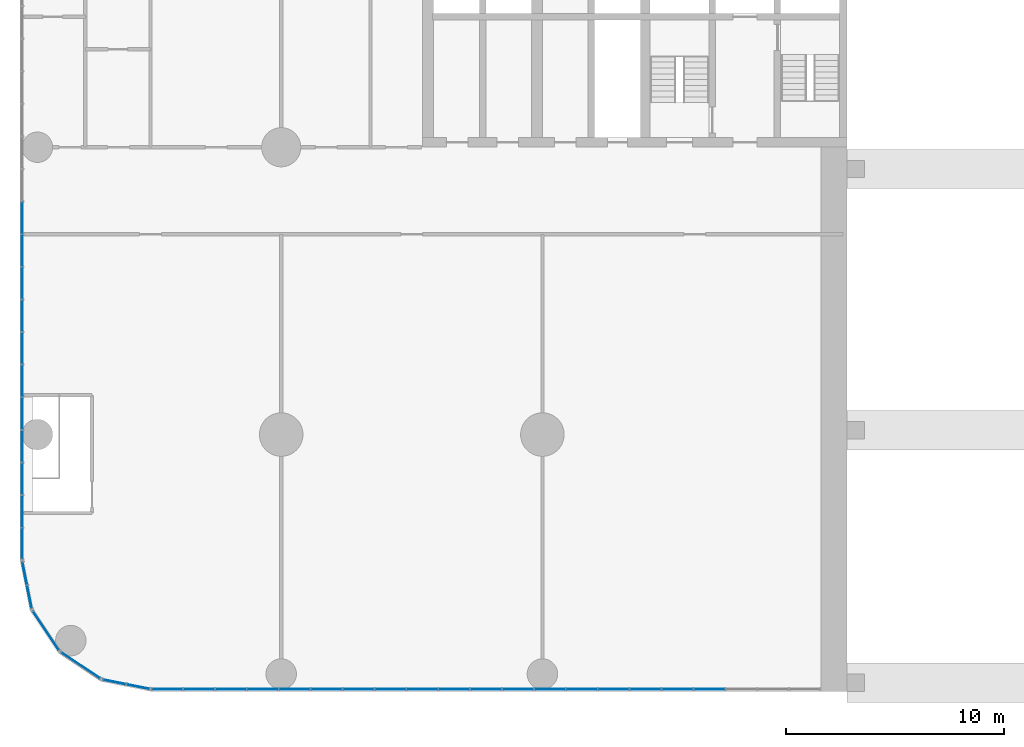
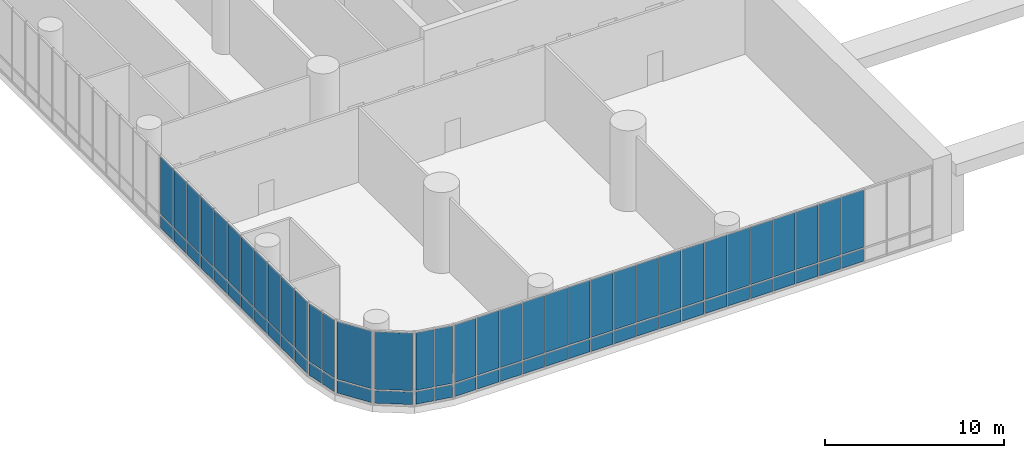
# One storey, part 19 of 30: 70 plates, 6 elements without a shape of their own.
"""IFC4 building model written with IfcOpenShell, lengths in metres."""

from ifc_helpers import new_model, si_unit, direction, frame, origin, origin_2d, place, context, subcontext, project, spatial, rectangle, extrude, material, layer, layer_set, type_object, element, aggregate, save


model = new_model("IFC4")

# Units and contexts
model_context = context("Model", 3, precision=1e-05, world=origin(), true_north=direction((0.0, 1.0)))
body_context = subcontext(model_context, "Body", "Model", "MODEL_VIEW")
ifc_project = project(units=[si_unit("LENGTHUNIT", "METRE"), si_unit("AREAUNIT", "SQUARE_METRE"), si_unit("VOLUMEUNIT", "CUBIC_METRE"), si_unit("PLANEANGLEUNIT", "RADIAN"), si_unit("MASSUNIT", "GRAM", prefix="KILO")], contexts=[model_context])

# Site, building, storey
site_placement = place(None, origin())
site = spatial("IfcSite", under=ifc_project, at=site_placement, CompositionType="ELEMENT")
building_placement = place(site_placement, origin())
building = spatial("IfcBuilding", under=site, at=building_placement, Name="Torana Hotel and Residences", CompositionType="ELEMENT")
storey_placement = place(building_placement, frame((0.0, 0.0, 12.5)))
storey = spatial("IfcBuildingStorey", under=building, at=storey_placement, Name="L02", CompositionType="ELEMENT", Elevation=12.5)

# Curtain wall, plates
ifc_material_1 = material(Name="Dark anodised aluminium", Category="aluminium")
ifc_layer_1 = layer(ifc_material_1, 0.14990234375)
ifc_layer_set_1 = layer_set([ifc_layer_1], Name="CW5 PODIUM UPPER UNITISED CURTAIN WALL")
curtain_wall_type = type_object("IfcCurtainWallType", Name="CW5 PODIUM UPPER UNITISED CURTAIN WALL", PredefinedType="NOTDEFINED", material=ifc_layer_set_1)
curtain_wall_1_placement = place(storey_placement, origin())
curtain_wall_1 = element("IfcCurtainWall", 1, at=curtain_wall_1_placement, inside=storey, type_object=curtain_wall_type, Name="Curtain wall CW5 L02 e0.0", PredefinedType="NOTDEFINED")
ifc_material_2 = material(Name="Glass clear low-iron laminated double glazed unit", Category="glass")
ifc_layer_2 = layer(ifc_material_2, 0.035888671875)
ifc_layer_set_2 = layer_set([ifc_layer_2], Name="CW5 DARK GLASS PANEL 36")
plate_type = type_object("IfcPlateType", Name="CW5 DARK GLASS PANEL 36", PredefinedType="CURTAIN_PANEL", material=ifc_layer_set_2)
plate_1_placement = place(storey_placement, frame((-41.2275390625, -39.89990234375, 0.099853515625), z_axis=(0.0, 0.0, 1.0), x_axis=(1.0, 0.0, 0.0)))
plate_1 = element("IfcPlate", 2, at=plate_1_placement, type_object=plate_type, Name="CW5 panel 1.1", PredefinedType="CURTAIN_PANEL", context=body_context, shape_type="SweptSolid", body=[
    extrude(rectangle(XDim=1.37548828125, YDim=0.035888671875, at=origin_2d()), origin(), (0.0, 0.0, 1.0), 0.85009765625),
])
plate_2_placement = place(storey_placement, frame((-41.2275390625, -39.89990234375, 1.050048828125), z_axis=(0.0, 0.0, 1.0), x_axis=(1.0, 0.0, 0.0)))
plate_2 = element("IfcPlate", 3, at=plate_2_placement, type_object=plate_type, Name="CW5 panel 1.2", PredefinedType="CURTAIN_PANEL", context=body_context, shape_type="SweptSolid", body=[
    extrude(rectangle(XDim=1.37548828125, YDim=0.035888671875, at=origin_2d()), origin(), (0.0, 0.0, 1.0), 3.89990234375),
])
plate_3_placement = place(storey_placement, frame((-39.777099609375, -39.89990234375, 0.099853515625), z_axis=(0.0, 0.0, 1.0), x_axis=(1.0, 0.0, 0.0)))
plate_3 = element("IfcPlate", 4, at=plate_3_placement, type_object=plate_type, Name="CW5 panel 2.1", PredefinedType="CURTAIN_PANEL", context=body_context, shape_type="SweptSolid", body=[
    extrude(rectangle(XDim=1.405517578125, YDim=0.035888671875, at=origin_2d()), origin(), (0.0, 0.0, 1.0), 0.85009765625),
])
plate_4_placement = place(storey_placement, frame((-39.777099609375, -39.89990234375, 1.050048828125), z_axis=(0.0, 0.0, 1.0), x_axis=(1.0, 0.0, 0.0)))
plate_4 = element("IfcPlate", 5, at=plate_4_placement, type_object=plate_type, Name="CW5 panel 2.2", PredefinedType="CURTAIN_PANEL", context=body_context, shape_type="SweptSolid", body=[
    extrude(rectangle(XDim=1.405517578125, YDim=0.035888671875, at=origin_2d()), origin(), (0.0, 0.0, 1.0), 3.89990234375),
])
plate_5_placement = place(storey_placement, frame((-38.311767578125, -39.89990234375, 0.099853515625), z_axis=(0.0, 0.0, 1.0), x_axis=(1.0, 0.0, 0.0)))
plate_5 = element("IfcPlate", 6, at=plate_5_placement, type_object=plate_type, Name="CW5 panel 3.1", PredefinedType="CURTAIN_PANEL", context=body_context, shape_type="SweptSolid", body=[
    extrude(rectangle(XDim=1.405517578125, YDim=0.035888671875, at=origin_2d()), origin(), (0.0, 0.0, 1.0), 0.85009765625),
])
plate_6_placement = place(storey_placement, frame((-38.311767578125, -39.89990234375, 1.050048828125), z_axis=(0.0, 0.0, 1.0), x_axis=(1.0, 0.0, 0.0)))
plate_6 = element("IfcPlate", 7, at=plate_6_placement, type_object=plate_type, Name="CW5 panel 3.2", PredefinedType="CURTAIN_PANEL", context=body_context, shape_type="SweptSolid", body=[
    extrude(rectangle(XDim=1.405517578125, YDim=0.035888671875, at=origin_2d()), origin(), (0.0, 0.0, 1.0), 3.89990234375),
])
plate_7_placement = place(storey_placement, frame((-36.84619140625, -39.89990234375, 0.099853515625), z_axis=(0.0, 0.0, 1.0), x_axis=(1.0, 0.0, 0.0)))
plate_7 = element("IfcPlate", 8, at=plate_7_placement, type_object=plate_type, Name="CW5 panel 4.1", PredefinedType="CURTAIN_PANEL", context=body_context, shape_type="SweptSolid", body=[
    extrude(rectangle(XDim=1.405517578125, YDim=0.035888671875, at=origin_2d()), origin(), (0.0, 0.0, 1.0), 0.85009765625),
])
plate_8_placement = place(storey_placement, frame((-36.84619140625, -39.89990234375, 1.050048828125), z_axis=(0.0, 0.0, 1.0), x_axis=(1.0, 0.0, 0.0)))
plate_8 = element("IfcPlate", 9, at=plate_8_placement, type_object=plate_type, Name="CW5 panel 4.2", PredefinedType="CURTAIN_PANEL", context=body_context, shape_type="SweptSolid", body=[
    extrude(rectangle(XDim=1.405517578125, YDim=0.035888671875, at=origin_2d()), origin(), (0.0, 0.0, 1.0), 3.89990234375),
])
plate_9_placement = place(storey_placement, frame((-35.380615234375, -39.89990234375, 0.099853515625), z_axis=(0.0, 0.0, 1.0), x_axis=(1.0, 0.0, 0.0)))
plate_9 = element("IfcPlate", 10, at=plate_9_placement, type_object=plate_type, Name="CW5 panel 5.1", PredefinedType="CURTAIN_PANEL", context=body_context, shape_type="SweptSolid", body=[
    extrude(rectangle(XDim=1.405517578125, YDim=0.035888671875, at=origin_2d()), origin(), (0.0, 0.0, 1.0), 0.85009765625),
])
plate_10_placement = place(storey_placement, frame((-35.380615234375, -39.89990234375, 1.050048828125), z_axis=(0.0, 0.0, 1.0), x_axis=(1.0, 0.0, 0.0)))
plate_10 = element("IfcPlate", 11, at=plate_10_placement, type_object=plate_type, Name="CW5 panel 5.2", PredefinedType="CURTAIN_PANEL", context=body_context, shape_type="SweptSolid", body=[
    extrude(rectangle(XDim=1.405517578125, YDim=0.035888671875, at=origin_2d()), origin(), (0.0, 0.0, 1.0), 3.89990234375),
])
plate_11_placement = place(storey_placement, frame((-33.915283203125, -39.89990234375, 0.099853515625), z_axis=(0.0, 0.0, 1.0), x_axis=(1.0, 0.0, 0.0)))
plate_11 = element("IfcPlate", 12, at=plate_11_placement, type_object=plate_type, Name="CW5 panel 6.1", PredefinedType="CURTAIN_PANEL", context=body_context, shape_type="SweptSolid", body=[
    extrude(rectangle(XDim=1.405517578125, YDim=0.035888671875, at=origin_2d()), origin(), (0.0, 0.0, 1.0), 0.85009765625),
])
plate_12_placement = place(storey_placement, frame((-33.915283203125, -39.89990234375, 1.050048828125), z_axis=(0.0, 0.0, 1.0), x_axis=(1.0, 0.0, 0.0)))
plate_12 = element("IfcPlate", 13, at=plate_12_placement, type_object=plate_type, Name="CW5 panel 6.2", PredefinedType="CURTAIN_PANEL", context=body_context, shape_type="SweptSolid", body=[
    extrude(rectangle(XDim=1.405517578125, YDim=0.035888671875, at=origin_2d()), origin(), (0.0, 0.0, 1.0), 3.89990234375),
])
plate_13_placement = place(storey_placement, frame((-32.44970703125, -39.89990234375, 0.099853515625), z_axis=(0.0, 0.0, 1.0), x_axis=(1.0, 0.0, 0.0)))
plate_13 = element("IfcPlate", 14, at=plate_13_placement, type_object=plate_type, Name="CW5 panel 7.1", PredefinedType="CURTAIN_PANEL", context=body_context, shape_type="SweptSolid", body=[
    extrude(rectangle(XDim=1.405517578125, YDim=0.035888671875, at=origin_2d()), origin(), (0.0, 0.0, 1.0), 0.85009765625),
])
plate_14_placement = place(storey_placement, frame((-32.44970703125, -39.89990234375, 1.050048828125), z_axis=(0.0, 0.0, 1.0), x_axis=(1.0, 0.0, 0.0)))
plate_14 = element("IfcPlate", 15, at=plate_14_placement, type_object=plate_type, Name="CW5 panel 7.2", PredefinedType="CURTAIN_PANEL", context=body_context, shape_type="SweptSolid", body=[
    extrude(rectangle(XDim=1.405517578125, YDim=0.035888671875, at=origin_2d()), origin(), (0.0, 0.0, 1.0), 3.89990234375),
])
plate_15_placement = place(storey_placement, frame((-30.984130859375, -39.89990234375, 0.099853515625), z_axis=(0.0, 0.0, 1.0), x_axis=(1.0, 0.0, 0.0)))
plate_15 = element("IfcPlate", 16, at=plate_15_placement, type_object=plate_type, Name="CW5 panel 8.1", PredefinedType="CURTAIN_PANEL", context=body_context, shape_type="SweptSolid", body=[
    extrude(rectangle(XDim=1.405517578125, YDim=0.035888671875, at=origin_2d()), origin(), (0.0, 0.0, 1.0), 0.85009765625),
])
plate_16_placement = place(storey_placement, frame((-30.984130859375, -39.89990234375, 1.050048828125), z_axis=(0.0, 0.0, 1.0), x_axis=(1.0, 0.0, 0.0)))
plate_16 = element("IfcPlate", 17, at=plate_16_placement, type_object=plate_type, Name="CW5 panel 8.2", PredefinedType="CURTAIN_PANEL", context=body_context, shape_type="SweptSolid", body=[
    extrude(rectangle(XDim=1.405517578125, YDim=0.035888671875, at=origin_2d()), origin(), (0.0, 0.0, 1.0), 3.89990234375),
])
plate_17_placement = place(storey_placement, frame((-29.518798828125, -39.89990234375, 0.099853515625), z_axis=(0.0, 0.0, 1.0), x_axis=(1.0, 0.0, 0.0)))
plate_17 = element("IfcPlate", 18, at=plate_17_placement, type_object=plate_type, Name="CW5 panel 9.1", PredefinedType="CURTAIN_PANEL", context=body_context, shape_type="SweptSolid", body=[
    extrude(rectangle(XDim=1.405517578125, YDim=0.035888671875, at=origin_2d()), origin(), (0.0, 0.0, 1.0), 0.85009765625),
])
plate_18_placement = place(storey_placement, frame((-29.518798828125, -39.89990234375, 1.050048828125), z_axis=(0.0, 0.0, 1.0), x_axis=(1.0, 0.0, 0.0)))
plate_18 = element("IfcPlate", 19, at=plate_18_placement, type_object=plate_type, Name="CW5 panel 9.2", PredefinedType="CURTAIN_PANEL", context=body_context, shape_type="SweptSolid", body=[
    extrude(rectangle(XDim=1.405517578125, YDim=0.035888671875, at=origin_2d()), origin(), (0.0, 0.0, 1.0), 3.89990234375),
])
plate_19_placement = place(storey_placement, frame((-28.05322265625, -39.89990234375, 0.099853515625), z_axis=(0.0, 0.0, 1.0), x_axis=(1.0, 0.0, 0.0)))
plate_19 = element("IfcPlate", 20, at=plate_19_placement, type_object=plate_type, Name="CW5 panel 10.1", PredefinedType="CURTAIN_PANEL", context=body_context, shape_type="SweptSolid", body=[
    extrude(rectangle(XDim=1.405517578125, YDim=0.035888671875, at=origin_2d()), origin(), (0.0, 0.0, 1.0), 0.85009765625),
])
plate_20_placement = place(storey_placement, frame((-28.05322265625, -39.89990234375, 1.050048828125), z_axis=(0.0, 0.0, 1.0), x_axis=(1.0, 0.0, 0.0)))
plate_20 = element("IfcPlate", 21, at=plate_20_placement, type_object=plate_type, Name="CW5 panel 10.2", PredefinedType="CURTAIN_PANEL", context=body_context, shape_type="SweptSolid", body=[
    extrude(rectangle(XDim=1.405517578125, YDim=0.035888671875, at=origin_2d()), origin(), (0.0, 0.0, 1.0), 3.89990234375),
])
plate_21_placement = place(storey_placement, frame((-26.587646484375, -39.89990234375, 0.099853515625), z_axis=(0.0, 0.0, 1.0), x_axis=(1.0, 0.0, 0.0)))
plate_21 = element("IfcPlate", 22, at=plate_21_placement, type_object=plate_type, Name="CW5 panel 11.1", PredefinedType="CURTAIN_PANEL", context=body_context, shape_type="SweptSolid", body=[
    extrude(rectangle(XDim=1.405517578125, YDim=0.035888671875, at=origin_2d()), origin(), (0.0, 0.0, 1.0), 0.85009765625),
])
plate_22_placement = place(storey_placement, frame((-26.587646484375, -39.89990234375, 1.050048828125), z_axis=(0.0, 0.0, 1.0), x_axis=(1.0, 0.0, 0.0)))
plate_22 = element("IfcPlate", 23, at=plate_22_placement, type_object=plate_type, Name="CW5 panel 11.2", PredefinedType="CURTAIN_PANEL", context=body_context, shape_type="SweptSolid", body=[
    extrude(rectangle(XDim=1.405517578125, YDim=0.035888671875, at=origin_2d()), origin(), (0.0, 0.0, 1.0), 3.89990234375),
])
plate_23_placement = place(storey_placement, frame((-25.122314453125, -39.89990234375, 0.099853515625), z_axis=(0.0, 0.0, 1.0), x_axis=(1.0, 0.0, 0.0)))
plate_23 = element("IfcPlate", 24, at=plate_23_placement, type_object=plate_type, Name="CW5 panel 12.1", PredefinedType="CURTAIN_PANEL", context=body_context, shape_type="SweptSolid", body=[
    extrude(rectangle(XDim=1.405517578125, YDim=0.035888671875, at=origin_2d()), origin(), (0.0, 0.0, 1.0), 0.85009765625),
])
plate_24_placement = place(storey_placement, frame((-25.122314453125, -39.89990234375, 1.050048828125), z_axis=(0.0, 0.0, 1.0), x_axis=(1.0, 0.0, 0.0)))
plate_24 = element("IfcPlate", 25, at=plate_24_placement, type_object=plate_type, Name="CW5 panel 12.2", PredefinedType="CURTAIN_PANEL", context=body_context, shape_type="SweptSolid", body=[
    extrude(rectangle(XDim=1.405517578125, YDim=0.035888671875, at=origin_2d()), origin(), (0.0, 0.0, 1.0), 3.89990234375),
])
plate_25_placement = place(storey_placement, frame((-23.65673828125, -39.89990234375, 0.099853515625), z_axis=(0.0, 0.0, 1.0), x_axis=(1.0, 0.0, 0.0)))
plate_25 = element("IfcPlate", 26, at=plate_25_placement, type_object=plate_type, Name="CW5 panel 13.1", PredefinedType="CURTAIN_PANEL", context=body_context, shape_type="SweptSolid", body=[
    extrude(rectangle(XDim=1.405517578125, YDim=0.035888671875, at=origin_2d()), origin(), (0.0, 0.0, 1.0), 0.85009765625),
])
plate_26_placement = place(storey_placement, frame((-23.65673828125, -39.89990234375, 1.050048828125), z_axis=(0.0, 0.0, 1.0), x_axis=(1.0, 0.0, 0.0)))
plate_26 = element("IfcPlate", 27, at=plate_26_placement, type_object=plate_type, Name="CW5 panel 13.2", PredefinedType="CURTAIN_PANEL", context=body_context, shape_type="SweptSolid", body=[
    extrude(rectangle(XDim=1.405517578125, YDim=0.035888671875, at=origin_2d()), origin(), (0.0, 0.0, 1.0), 3.89990234375),
])
plate_27_placement = place(storey_placement, frame((-22.191162109375, -39.89990234375, 0.099853515625), z_axis=(0.0, 0.0, 1.0), x_axis=(1.0, 0.0, 0.0)))
plate_27 = element("IfcPlate", 28, at=plate_27_placement, type_object=plate_type, Name="CW5 panel 14.1", PredefinedType="CURTAIN_PANEL", context=body_context, shape_type="SweptSolid", body=[
    extrude(rectangle(XDim=1.405517578125, YDim=0.035888671875, at=origin_2d()), origin(), (0.0, 0.0, 1.0), 0.85009765625),
])
plate_28_placement = place(storey_placement, frame((-22.191162109375, -39.89990234375, 1.050048828125), z_axis=(0.0, 0.0, 1.0), x_axis=(1.0, 0.0, 0.0)))
plate_28 = element("IfcPlate", 29, at=plate_28_placement, type_object=plate_type, Name="CW5 panel 14.2", PredefinedType="CURTAIN_PANEL", context=body_context, shape_type="SweptSolid", body=[
    extrude(rectangle(XDim=1.405517578125, YDim=0.035888671875, at=origin_2d()), origin(), (0.0, 0.0, 1.0), 3.89990234375),
])
plate_29_placement = place(storey_placement, frame((-20.725830078125, -39.89990234375, 0.099853515625), z_axis=(0.0, 0.0, 1.0), x_axis=(1.0, 0.0, 0.0)))
plate_29 = element("IfcPlate", 30, at=plate_29_placement, type_object=plate_type, Name="CW5 panel 15.1", PredefinedType="CURTAIN_PANEL", context=body_context, shape_type="SweptSolid", body=[
    extrude(rectangle(XDim=1.405517578125, YDim=0.035888671875, at=origin_2d()), origin(), (0.0, 0.0, 1.0), 0.85009765625),
])
plate_30_placement = place(storey_placement, frame((-20.725830078125, -39.89990234375, 1.050048828125), z_axis=(0.0, 0.0, 1.0), x_axis=(1.0, 0.0, 0.0)))
plate_30 = element("IfcPlate", 31, at=plate_30_placement, type_object=plate_type, Name="CW5 panel 15.2", PredefinedType="CURTAIN_PANEL", context=body_context, shape_type="SweptSolid", body=[
    extrude(rectangle(XDim=1.405517578125, YDim=0.035888671875, at=origin_2d()), origin(), (0.0, 0.0, 1.0), 3.89990234375),
])
plate_31_placement = place(storey_placement, frame((-19.26025390625, -39.89990234375, 0.099853515625), z_axis=(0.0, 0.0, 1.0), x_axis=(1.0, 0.0, 0.0)))
plate_31 = element("IfcPlate", 32, at=plate_31_placement, type_object=plate_type, Name="CW5 panel 16.1", PredefinedType="CURTAIN_PANEL", context=body_context, shape_type="SweptSolid", body=[
    extrude(rectangle(XDim=1.405517578125, YDim=0.035888671875, at=origin_2d()), origin(), (0.0, 0.0, 1.0), 0.85009765625),
])
plate_32_placement = place(storey_placement, frame((-19.26025390625, -39.89990234375, 1.050048828125), z_axis=(0.0, 0.0, 1.0), x_axis=(1.0, 0.0, 0.0)))
plate_32 = element("IfcPlate", 33, at=plate_32_placement, type_object=plate_type, Name="CW5 panel 16.2", PredefinedType="CURTAIN_PANEL", context=body_context, shape_type="SweptSolid", body=[
    extrude(rectangle(XDim=1.405517578125, YDim=0.035888671875, at=origin_2d()), origin(), (0.0, 0.0, 1.0), 3.89990234375),
])
plate_33_placement = place(storey_placement, frame((-17.794677734375, -39.89990234375, 0.099853515625), z_axis=(0.0, 0.0, 1.0), x_axis=(1.0, 0.0, 0.0)))
plate_33 = element("IfcPlate", 34, at=plate_33_placement, type_object=plate_type, Name="CW5 panel 17.1", PredefinedType="CURTAIN_PANEL", context=body_context, shape_type="SweptSolid", body=[
    extrude(rectangle(XDim=1.405517578125, YDim=0.035888671875, at=origin_2d()), origin(), (0.0, 0.0, 1.0), 0.85009765625),
])
plate_34_placement = place(storey_placement, frame((-17.794677734375, -39.89990234375, 1.050048828125), z_axis=(0.0, 0.0, 1.0), x_axis=(1.0, 0.0, 0.0)))
plate_34 = element("IfcPlate", 35, at=plate_34_placement, type_object=plate_type, Name="CW5 panel 17.2", PredefinedType="CURTAIN_PANEL", context=body_context, shape_type="SweptSolid", body=[
    extrude(rectangle(XDim=1.405517578125, YDim=0.035888671875, at=origin_2d()), origin(), (0.0, 0.0, 1.0), 3.89990234375),
])
plate_35_placement = place(storey_placement, frame((-16.329345703125, -39.89990234375, 0.099853515625), z_axis=(0.0, 0.0, 1.0), x_axis=(1.0, 0.0, 0.0)))
plate_35 = element("IfcPlate", 36, at=plate_35_placement, type_object=plate_type, Name="CW5 panel 18.1", PredefinedType="CURTAIN_PANEL", context=body_context, shape_type="SweptSolid", body=[
    extrude(rectangle(XDim=1.405517578125, YDim=0.035888671875, at=origin_2d()), origin(), (0.0, 0.0, 1.0), 0.85009765625),
])
plate_36_placement = place(storey_placement, frame((-16.329345703125, -39.89990234375, 1.050048828125), z_axis=(0.0, 0.0, 1.0), x_axis=(1.0, 0.0, 0.0)))
plate_36 = element("IfcPlate", 37, at=plate_36_placement, type_object=plate_type, Name="CW5 panel 18.2", PredefinedType="CURTAIN_PANEL", context=body_context, shape_type="SweptSolid", body=[
    extrude(rectangle(XDim=1.405517578125, YDim=0.035888671875, at=origin_2d()), origin(), (0.0, 0.0, 1.0), 3.89990234375),
])
aggregate(curtain_wall_1, [plate_1, plate_2, plate_3, plate_4, plate_5, plate_6, plate_7, plate_8, plate_9, plate_10, plate_11, plate_12, plate_13, plate_14, plate_15, plate_16, plate_17, plate_18, plate_19, plate_20, plate_21, plate_22, plate_23, plate_24, plate_25, plate_26, plate_27, plate_28, plate_29, plate_30, plate_31, plate_32, plate_33, plate_34, plate_35, plate_36])

curtain_wall_2_placement = place(storey_placement, origin())
curtain_wall_2 = element("IfcCurtainWall", 38, at=curtain_wall_2_placement, inside=storey, type_object=curtain_wall_type, Name="Curtain wall CW5 L02 e0.7", PredefinedType="NOTDEFINED")
plate_37_placement = place(storey_placement, frame((-47.89990234375, -18.246826171875, 0.099853515625), z_axis=(0.0, 0.0, 1.0), x_axis=(0.0, -1.0, 0.0)))
plate_37 = element("IfcPlate", 39, at=plate_37_placement, type_object=plate_type, Name="CW5 panel 14.1", PredefinedType="CURTAIN_PANEL", context=body_context, shape_type="SweptSolid", body=[
    extrude(rectangle(XDim=1.43798828125, YDim=0.035888671875, at=origin_2d()), origin(), (0.0, 0.0, 1.0), 0.85009765625),
])
plate_38_placement = place(storey_placement, frame((-47.89990234375, -18.246826171875, 1.050048828125), z_axis=(0.0, 0.0, 1.0), x_axis=(0.0, -1.0, 0.0)))
plate_38 = element("IfcPlate", 40, at=plate_38_placement, type_object=plate_type, Name="CW5 panel 14.2", PredefinedType="CURTAIN_PANEL", context=body_context, shape_type="SweptSolid", body=[
    extrude(rectangle(XDim=1.43798828125, YDim=0.035888671875, at=origin_2d()), origin(), (0.0, 0.0, 1.0), 3.89990234375),
])
plate_39_placement = place(storey_placement, frame((-47.89990234375, -19.744873046875, 0.099853515625), z_axis=(0.0, 0.0, 1.0), x_axis=(0.0, -1.0, 0.0)))
plate_39 = element("IfcPlate", 41, at=plate_39_placement, type_object=plate_type, Name="CW5 panel 15.1", PredefinedType="CURTAIN_PANEL", context=body_context, shape_type="SweptSolid", body=[
    extrude(rectangle(XDim=1.43798828125, YDim=0.035888671875, at=origin_2d()), origin(), (0.0, 0.0, 1.0), 0.85009765625),
])
plate_40_placement = place(storey_placement, frame((-47.89990234375, -19.744873046875, 1.050048828125), z_axis=(0.0, 0.0, 1.0), x_axis=(0.0, -1.0, 0.0)))
plate_40 = element("IfcPlate", 42, at=plate_40_placement, type_object=plate_type, Name="CW5 panel 15.2", PredefinedType="CURTAIN_PANEL", context=body_context, shape_type="SweptSolid", body=[
    extrude(rectangle(XDim=1.43798828125, YDim=0.035888671875, at=origin_2d()), origin(), (0.0, 0.0, 1.0), 3.89990234375),
])
plate_41_placement = place(storey_placement, frame((-47.89990234375, -21.242919921875, 0.099853515625), z_axis=(0.0, 0.0, 1.0), x_axis=(0.0, -1.0, 0.0)))
plate_41 = element("IfcPlate", 43, at=plate_41_placement, type_object=plate_type, Name="CW5 panel 16.1", PredefinedType="CURTAIN_PANEL", context=body_context, shape_type="SweptSolid", body=[
    extrude(rectangle(XDim=1.43798828125, YDim=0.035888671875, at=origin_2d()), origin(), (0.0, 0.0, 1.0), 0.85009765625),
])
plate_42_placement = place(storey_placement, frame((-47.89990234375, -21.242919921875, 1.050048828125), z_axis=(0.0, 0.0, 1.0), x_axis=(0.0, -1.0, 0.0)))
plate_42 = element("IfcPlate", 44, at=plate_42_placement, type_object=plate_type, Name="CW5 panel 16.2", PredefinedType="CURTAIN_PANEL", context=body_context, shape_type="SweptSolid", body=[
    extrude(rectangle(XDim=1.43798828125, YDim=0.035888671875, at=origin_2d()), origin(), (0.0, 0.0, 1.0), 3.89990234375),
])
plate_43_placement = place(storey_placement, frame((-47.89990234375, -22.74072265625, 0.099853515625), z_axis=(0.0, 0.0, 1.0), x_axis=(0.0, -1.0, 0.0)))
plate_43 = element("IfcPlate", 45, at=plate_43_placement, type_object=plate_type, Name="CW5 panel 17.1", PredefinedType="CURTAIN_PANEL", context=body_context, shape_type="SweptSolid", body=[
    extrude(rectangle(XDim=1.43798828125, YDim=0.035888671875, at=origin_2d()), origin(), (0.0, 0.0, 1.0), 0.85009765625),
])
plate_44_placement = place(storey_placement, frame((-47.89990234375, -22.74072265625, 1.050048828125), z_axis=(0.0, 0.0, 1.0), x_axis=(0.0, -1.0, 0.0)))
plate_44 = element("IfcPlate", 46, at=plate_44_placement, type_object=plate_type, Name="CW5 panel 17.2", PredefinedType="CURTAIN_PANEL", context=body_context, shape_type="SweptSolid", body=[
    extrude(rectangle(XDim=1.43798828125, YDim=0.035888671875, at=origin_2d()), origin(), (0.0, 0.0, 1.0), 3.89990234375),
])
plate_45_placement = place(storey_placement, frame((-47.89990234375, -24.23876953125, 0.099853515625), z_axis=(0.0, 0.0, 1.0), x_axis=(0.0, -1.0, 0.0)))
plate_45 = element("IfcPlate", 47, at=plate_45_placement, type_object=plate_type, Name="CW5 panel 18.1", PredefinedType="CURTAIN_PANEL", context=body_context, shape_type="SweptSolid", body=[
    extrude(rectangle(XDim=1.43798828125, YDim=0.035888671875, at=origin_2d()), origin(), (0.0, 0.0, 1.0), 0.85009765625),
])
plate_46_placement = place(storey_placement, frame((-47.89990234375, -24.23876953125, 1.050048828125), z_axis=(0.0, 0.0, 1.0), x_axis=(0.0, -1.0, 0.0)))
plate_46 = element("IfcPlate", 48, at=plate_46_placement, type_object=plate_type, Name="CW5 panel 18.2", PredefinedType="CURTAIN_PANEL", context=body_context, shape_type="SweptSolid", body=[
    extrude(rectangle(XDim=1.43798828125, YDim=0.035888671875, at=origin_2d()), origin(), (0.0, 0.0, 1.0), 3.89990234375),
])
plate_47_placement = place(storey_placement, frame((-47.89990234375, -25.736572265625, 0.099853515625), z_axis=(0.0, 0.0, 1.0), x_axis=(0.0, -1.0, 0.0)))
plate_47 = element("IfcPlate", 49, at=plate_47_placement, type_object=plate_type, Name="CW5 panel 19.1", PredefinedType="CURTAIN_PANEL", context=body_context, shape_type="SweptSolid", body=[
    extrude(rectangle(XDim=1.43798828125, YDim=0.035888671875, at=origin_2d()), origin(), (0.0, 0.0, 1.0), 0.85009765625),
])
plate_48_placement = place(storey_placement, frame((-47.89990234375, -25.736572265625, 1.050048828125), z_axis=(0.0, 0.0, 1.0), x_axis=(0.0, -1.0, 0.0)))
plate_48 = element("IfcPlate", 50, at=plate_48_placement, type_object=plate_type, Name="CW5 panel 19.2", PredefinedType="CURTAIN_PANEL", context=body_context, shape_type="SweptSolid", body=[
    extrude(rectangle(XDim=1.43798828125, YDim=0.035888671875, at=origin_2d()), origin(), (0.0, 0.0, 1.0), 3.89990234375),
])
plate_49_placement = place(storey_placement, frame((-47.89990234375, -27.234619140625, 0.099853515625), z_axis=(0.0, 0.0, 1.0), x_axis=(0.0, -1.0, 0.0)))
plate_49 = element("IfcPlate", 51, at=plate_49_placement, type_object=plate_type, Name="CW5 panel 20.1", PredefinedType="CURTAIN_PANEL", context=body_context, shape_type="SweptSolid", body=[
    extrude(rectangle(XDim=1.43798828125, YDim=0.035888671875, at=origin_2d()), origin(), (0.0, 0.0, 1.0), 0.85009765625),
])
plate_50_placement = place(storey_placement, frame((-47.89990234375, -27.234619140625, 1.050048828125), z_axis=(0.0, 0.0, 1.0), x_axis=(0.0, -1.0, 0.0)))
plate_50 = element("IfcPlate", 52, at=plate_50_placement, type_object=plate_type, Name="CW5 panel 20.2", PredefinedType="CURTAIN_PANEL", context=body_context, shape_type="SweptSolid", body=[
    extrude(rectangle(XDim=1.43798828125, YDim=0.035888671875, at=origin_2d()), origin(), (0.0, 0.0, 1.0), 3.89990234375),
])
plate_51_placement = place(storey_placement, frame((-47.89990234375, -28.732666015625, 0.099853515625), z_axis=(0.0, 0.0, 1.0), x_axis=(0.0, -1.0, 0.0)))
plate_51 = element("IfcPlate", 53, at=plate_51_placement, type_object=plate_type, Name="CW5 panel 21.1", PredefinedType="CURTAIN_PANEL", context=body_context, shape_type="SweptSolid", body=[
    extrude(rectangle(XDim=1.43798828125, YDim=0.035888671875, at=origin_2d()), origin(), (0.0, 0.0, 1.0), 0.85009765625),
])
plate_52_placement = place(storey_placement, frame((-47.89990234375, -28.732666015625, 1.050048828125), z_axis=(0.0, 0.0, 1.0), x_axis=(0.0, -1.0, 0.0)))
plate_52 = element("IfcPlate", 54, at=plate_52_placement, type_object=plate_type, Name="CW5 panel 21.2", PredefinedType="CURTAIN_PANEL", context=body_context, shape_type="SweptSolid", body=[
    extrude(rectangle(XDim=1.43798828125, YDim=0.035888671875, at=origin_2d()), origin(), (0.0, 0.0, 1.0), 3.89990234375),
])
plate_53_placement = place(storey_placement, frame((-47.89990234375, -30.23046875, 0.099853515625), z_axis=(0.0, 0.0, 1.0), x_axis=(0.0, -1.0, 0.0)))
plate_53 = element("IfcPlate", 55, at=plate_53_placement, type_object=plate_type, Name="CW5 panel 22.1", PredefinedType="CURTAIN_PANEL", context=body_context, shape_type="SweptSolid", body=[
    extrude(rectangle(XDim=1.43798828125, YDim=0.035888671875, at=origin_2d()), origin(), (0.0, 0.0, 1.0), 0.85009765625),
])
plate_54_placement = place(storey_placement, frame((-47.89990234375, -30.23046875, 1.050048828125), z_axis=(0.0, 0.0, 1.0), x_axis=(0.0, -1.0, 0.0)))
plate_54 = element("IfcPlate", 56, at=plate_54_placement, type_object=plate_type, Name="CW5 panel 22.2", PredefinedType="CURTAIN_PANEL", context=body_context, shape_type="SweptSolid", body=[
    extrude(rectangle(XDim=1.43798828125, YDim=0.035888671875, at=origin_2d()), origin(), (0.0, 0.0, 1.0), 3.89990234375),
])
plate_55_placement = place(storey_placement, frame((-47.89990234375, -31.728515625, 0.099853515625), z_axis=(0.0, 0.0, 1.0), x_axis=(0.0, -1.0, 0.0)))
plate_55 = element("IfcPlate", 57, at=plate_55_placement, type_object=plate_type, Name="CW5 panel 23.1", PredefinedType="CURTAIN_PANEL", context=body_context, shape_type="SweptSolid", body=[
    extrude(rectangle(XDim=1.43798828125, YDim=0.035888671875, at=origin_2d()), origin(), (0.0, 0.0, 1.0), 0.85009765625),
])
plate_56_placement = place(storey_placement, frame((-47.89990234375, -31.728515625, 1.050048828125), z_axis=(0.0, 0.0, 1.0), x_axis=(0.0, -1.0, 0.0)))
plate_56 = element("IfcPlate", 58, at=plate_56_placement, type_object=plate_type, Name="CW5 panel 23.2", PredefinedType="CURTAIN_PANEL", context=body_context, shape_type="SweptSolid", body=[
    extrude(rectangle(XDim=1.43798828125, YDim=0.035888671875, at=origin_2d()), origin(), (0.0, 0.0, 1.0), 3.89990234375),
])
plate_57_placement = place(storey_placement, frame((-47.89990234375, -33.21142578125, 0.099853515625), z_axis=(0.0, 0.0, 1.0), x_axis=(0.0, -1.0, 0.0)))
plate_57 = element("IfcPlate", 59, at=plate_57_placement, type_object=plate_type, Name="CW5 panel 24.1", PredefinedType="CURTAIN_PANEL", context=body_context, shape_type="SweptSolid", body=[
    extrude(rectangle(XDim=1.407958984375, YDim=0.035888671875, at=origin_2d()), origin(), (0.0, 0.0, 1.0), 0.85009765625),
])
plate_58_placement = place(storey_placement, frame((-47.89990234375, -33.21142578125, 1.050048828125), z_axis=(0.0, 0.0, 1.0), x_axis=(0.0, -1.0, 0.0)))
plate_58 = element("IfcPlate", 60, at=plate_58_placement, type_object=plate_type, Name="CW5 panel 24.2", PredefinedType="CURTAIN_PANEL", context=body_context, shape_type="SweptSolid", body=[
    extrude(rectangle(XDim=1.407958984375, YDim=0.035888671875, at=origin_2d()), origin(), (0.0, 0.0, 1.0), 3.89990234375),
])
aggregate(curtain_wall_2, [plate_37, plate_38, plate_39, plate_40, plate_41, plate_42, plate_43, plate_44, plate_45, plate_46, plate_47, plate_48, plate_49, plate_50, plate_51, plate_52, plate_53, plate_54, plate_55, plate_56, plate_57, plate_58])

curtain_wall_3_placement = place(storey_placement, origin())
curtain_wall_3 = element("IfcCurtainWall", 61, at=curtain_wall_3_placement, inside=storey, type_object=curtain_wall_type, Name="Curtain wall CW5 L02 e0.8", PredefinedType="NOTDEFINED")
plate_59_placement = place(storey_placement, frame((-47.78369140625, -34.5751953125, 0.099853515625), z_axis=(0.0, 0.0, 1.0), x_axis=(0.195080996415, -0.980787135335, 0.0)))
plate_59 = element("IfcPlate", 62, at=plate_59_placement, type_object=plate_type, Name="CW5 panel 1.1", PredefinedType="CURTAIN_PANEL", context=body_context, shape_type="SweptSolid", body=[
    extrude(rectangle(XDim=1.04345703125, YDim=0.035888671875, at=origin_2d()), origin(), (0.0, 0.0, 1.0), 0.85009765625),
])
plate_60_placement = place(storey_placement, frame((-47.78369140625, -34.5751953125, 1.050048828125), z_axis=(0.0, 0.0, 1.0), x_axis=(0.195080996415, -0.980787135335, 0.0)))
plate_60 = element("IfcPlate", 63, at=plate_60_placement, type_object=plate_type, Name="CW5 panel 1.2", PredefinedType="CURTAIN_PANEL", context=body_context, shape_type="SweptSolid", body=[
    extrude(rectangle(XDim=1.04345703125, YDim=0.035888671875, at=origin_2d()), origin(), (0.0, 0.0, 1.0), 3.89990234375),
])
plate_61_placement = place(storey_placement, frame((-47.568359375, -35.6572265625, 0.099853515625), z_axis=(0.0, 0.0, 1.0), x_axis=(0.195080996415, -0.980787135335, 0.0)))
plate_61 = element("IfcPlate", 64, at=plate_61_placement, type_object=plate_type, Name="CW5 panel 2.1", PredefinedType="CURTAIN_PANEL", context=body_context, shape_type="SweptSolid", body=[
    extrude(rectangle(XDim=1.04345703125, YDim=0.035888671875, at=origin_2d()), origin(), (0.0, 0.0, 1.0), 0.85009765625),
])
plate_62_placement = place(storey_placement, frame((-47.568359375, -35.6572265625, 1.050048828125), z_axis=(0.0, 0.0, 1.0), x_axis=(0.195080996415, -0.980787135335, 0.0)))
plate_62 = element("IfcPlate", 65, at=plate_62_placement, type_object=plate_type, Name="CW5 panel 2.2", PredefinedType="CURTAIN_PANEL", context=body_context, shape_type="SweptSolid", body=[
    extrude(rectangle(XDim=1.04345703125, YDim=0.035888671875, at=origin_2d()), origin(), (0.0, 0.0, 1.0), 3.89990234375),
])
aggregate(curtain_wall_3, [plate_59, plate_60, plate_61, plate_62])

curtain_wall_4_placement = place(storey_placement, origin())
curtain_wall_4 = element("IfcCurtainWall", 66, at=curtain_wall_4_placement, inside=storey, type_object=curtain_wall_type, Name="Curtain wall CW5 L02 e0.9", PredefinedType="NOTDEFINED")
plate_63_placement = place(storey_placement, frame((-46.809814453125, -37.2138671875, 0.099853515625), z_axis=(0.0, 0.0, 1.0), x_axis=(0.555585238723, -0.831459585616, 0.0)))
plate_63 = element("IfcPlate", 67, at=plate_63_placement, type_object=plate_type, Name="CW5 panel 1.1", PredefinedType="CURTAIN_PANEL", context=body_context, shape_type="SweptSolid", body=[
    extrude(rectangle(XDim=2.12158203125, YDim=0.035888671875, at=origin_2d()), origin(), (0.0, 0.0, 1.0), 0.85009765625),
])
plate_64_placement = place(storey_placement, frame((-46.809814453125, -37.2138671875, 1.050048828125), z_axis=(0.0, 0.0, 1.0), x_axis=(0.555585238723, -0.831459585616, 0.0)))
plate_64 = element("IfcPlate", 68, at=plate_64_placement, type_object=plate_type, Name="CW5 panel 1.2", PredefinedType="CURTAIN_PANEL", context=body_context, shape_type="SweptSolid", body=[
    extrude(rectangle(XDim=2.12158203125, YDim=0.035888671875, at=origin_2d()), origin(), (0.0, 0.0, 1.0), 3.89990234375),
])
aggregate(curtain_wall_4, [plate_63, plate_64])

curtain_wall_5_placement = place(storey_placement, origin())
curtain_wall_5 = element("IfcCurtainWall", 69, at=curtain_wall_5_placement, inside=storey, type_object=curtain_wall_type, Name="Curtain wall CW5 L02 e0.10", PredefinedType="NOTDEFINED")
plate_65_placement = place(storey_placement, frame((-45.2138671875, -38.809814453125, 0.099853515625), z_axis=(0.0, 0.0, 1.0), x_axis=(0.831459585616, -0.555585238723, 0.0)))
plate_65 = element("IfcPlate", 70, at=plate_65_placement, type_object=plate_type, Name="CW5 panel 1.1", PredefinedType="CURTAIN_PANEL", context=body_context, shape_type="SweptSolid", body=[
    extrude(rectangle(XDim=2.12158203125, YDim=0.035888671875, at=origin_2d()), origin(), (0.0, 0.0, 1.0), 0.85009765625),
])
plate_66_placement = place(storey_placement, frame((-45.2138671875, -38.809814453125, 1.050048828125), z_axis=(0.0, 0.0, 1.0), x_axis=(0.831459585616, -0.555585238723, 0.0)))
plate_66 = element("IfcPlate", 71, at=plate_66_placement, type_object=plate_type, Name="CW5 panel 1.2", PredefinedType="CURTAIN_PANEL", context=body_context, shape_type="SweptSolid", body=[
    extrude(rectangle(XDim=2.12158203125, YDim=0.035888671875, at=origin_2d()), origin(), (0.0, 0.0, 1.0), 3.89990234375),
])
aggregate(curtain_wall_5, [plate_65, plate_66])

curtain_wall_6_placement = place(storey_placement, origin())
curtain_wall_6 = element("IfcCurtainWall", 72, at=curtain_wall_6_placement, inside=storey, type_object=curtain_wall_type, Name="Curtain wall CW5 L02 e0.11", PredefinedType="NOTDEFINED")
plate_67_placement = place(storey_placement, frame((-43.6572265625, -39.568359375, 0.099853515625), z_axis=(0.0, 0.0, 1.0), x_axis=(0.980787135335, -0.195080996415, 0.0)))
plate_67 = element("IfcPlate", 73, at=plate_67_placement, type_object=plate_type, Name="CW5 panel 1.1", PredefinedType="CURTAIN_PANEL", context=body_context, shape_type="SweptSolid", body=[
    extrude(rectangle(XDim=1.04345703125, YDim=0.035888671875, at=origin_2d()), origin(), (0.0, 0.0, 1.0), 0.85009765625),
])
plate_68_placement = place(storey_placement, frame((-43.6572265625, -39.568359375, 1.050048828125), z_axis=(0.0, 0.0, 1.0), x_axis=(0.980787135335, -0.195080996415, 0.0)))
plate_68 = element("IfcPlate", 74, at=plate_68_placement, type_object=plate_type, Name="CW5 panel 1.2", PredefinedType="CURTAIN_PANEL", context=body_context, shape_type="SweptSolid", body=[
    extrude(rectangle(XDim=1.04345703125, YDim=0.035888671875, at=origin_2d()), origin(), (0.0, 0.0, 1.0), 3.89990234375),
])
plate_69_placement = place(storey_placement, frame((-42.5751953125, -39.78369140625, 0.099853515625), z_axis=(0.0, 0.0, 1.0), x_axis=(0.980787135335, -0.195080996415, 0.0)))
plate_69 = element("IfcPlate", 75, at=plate_69_placement, type_object=plate_type, Name="CW5 panel 2.1", PredefinedType="CURTAIN_PANEL", context=body_context, shape_type="SweptSolid", body=[
    extrude(rectangle(XDim=1.04345703125, YDim=0.035888671875, at=origin_2d()), origin(), (0.0, 0.0, 1.0), 0.85009765625),
])
plate_70_placement = place(storey_placement, frame((-42.5751953125, -39.78369140625, 1.050048828125), z_axis=(0.0, 0.0, 1.0), x_axis=(0.980787135335, -0.195080996415, 0.0)))
plate_70 = element("IfcPlate", 76, at=plate_70_placement, type_object=plate_type, Name="CW5 panel 2.2", PredefinedType="CURTAIN_PANEL", context=body_context, shape_type="SweptSolid", body=[
    extrude(rectangle(XDim=1.04345703125, YDim=0.035888671875, at=origin_2d()), origin(), (0.0, 0.0, 1.0), 3.89990234375),
])
aggregate(curtain_wall_6, [plate_67, plate_68, plate_69, plate_70])

save(model, "model.ifc")
